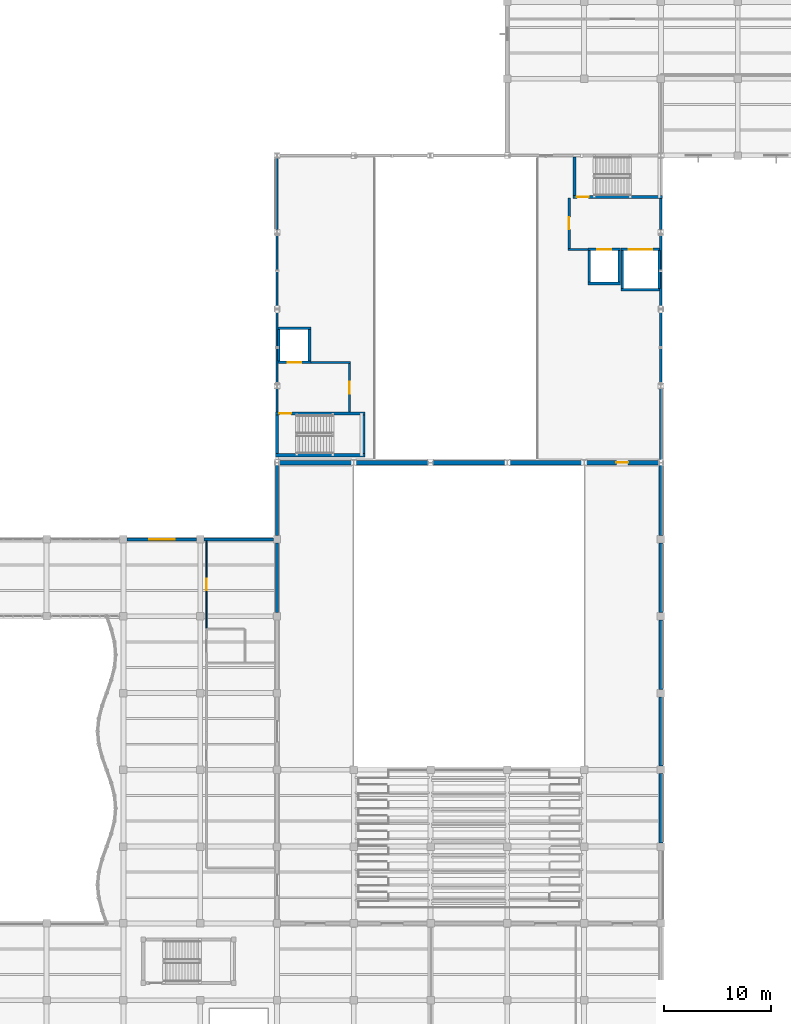
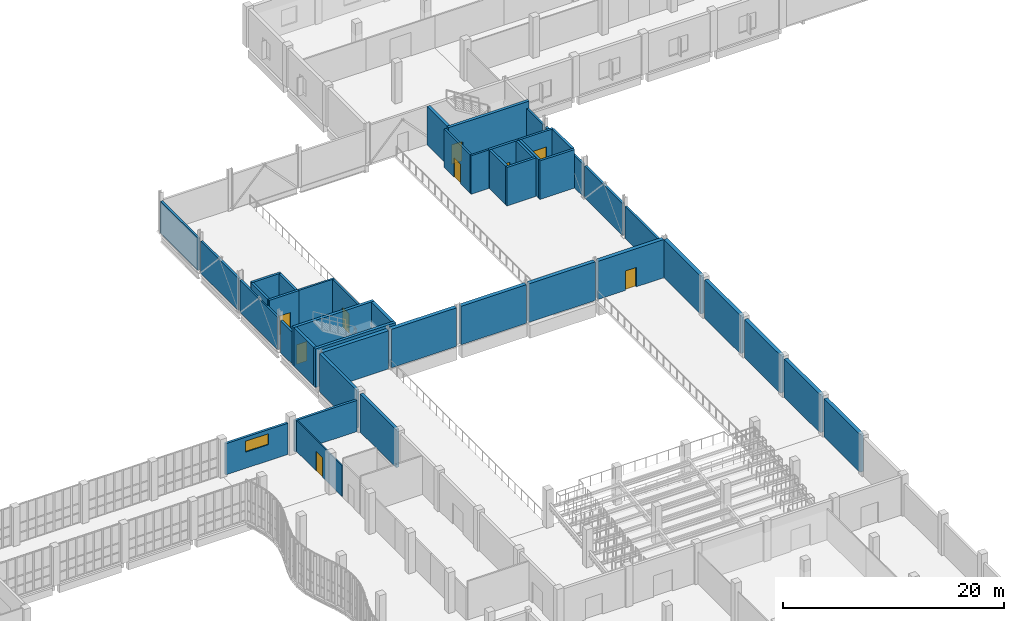
# One storey, part 91 of 108: 45 walls, 9 doors, 1 window, 10 openings.
"""IFC4 building model written with IfcOpenShell, lengths in metres."""

from ifc_helpers import new_model, si_unit, direction, frame, frame_2d, origin, place, context, subcontext, project, spatial, rectangle, extrude, material, layer, layer_set, type_object, element, fill, save


model = new_model("IFC4")

# Units and contexts
model_context = context("Model", 3, precision=1e-05, world=origin(), true_north=direction((0.0, 1.0)))
body_context = subcontext(model_context, "Body", "Model", "MODEL_VIEW")
ifc_project = project(units=[si_unit("LENGTHUNIT", "METRE"), si_unit("AREAUNIT", "SQUARE_METRE"), si_unit("VOLUMEUNIT", "CUBIC_METRE"), si_unit("PLANEANGLEUNIT", "RADIAN"), si_unit("MASSUNIT", "GRAM", prefix="KILO"), si_unit("THERMODYNAMICTEMPERATUREUNIT", "KELVIN"), si_unit("POWERUNIT", "WATT")], contexts=[model_context])

# Site, building, storey
site_placement = place(None, origin())
site = spatial("IfcSite", under=ifc_project, at=site_placement, CompositionType="ELEMENT")
building_placement = place(site_placement, origin())
building = spatial("IfcBuilding", under=site, at=building_placement, Name="Kaldorven Railside Theatre", CompositionType="ELEMENT")
storey_placement = place(building_placement, frame((0.0, 0.0, 5.39990234375)))
storey = spatial("IfcBuildingStorey", under=building, at=storey_placement, Name="L01", CompositionType="ELEMENT", Elevation=5.39990234375)

# Walls
ifc_material_1 = material(Name="Architectural concrete C40/50", Category="concrete")
ifc_layer_1 = layer(ifc_material_1, 0.3798828125, Name="Architectural concrete C40/50")
ifc_layer_set_1 = layer_set([ifc_layer_1], Name="Architectural concrete C40/50")
wall_type_1 = type_object("IfcWallType", Name="WL-EW02", PredefinedType="SHEAR", material=ifc_layer_set_1)
wall_1_placement = place(storey_placement, frame((123.199951171875, 83.813720703125, 0.0), z_axis=(0.0, 0.0, 1.0), x_axis=(0.0, -1.0, 0.0)))
element("IfcWall", 1, at=wall_1_placement, inside=storey, type_object=wall_type_1, Name="V1 L01 Exterior Wall EW-0245", PredefinedType="SHEAR", context=body_context, shape_type="SweptSolid", body=[
    extrude(rectangle(XDim=6.663818359375, YDim=0.3798828125, at=frame_2d((3.33203125, 0.0))), origin(), (0.0, 0.0, 1.0), 4.22021484375),
])
for number, where, z_axis, x_axis, name in (
    (2, (123.199951171875, 76.449951171875, 0.0), (0.0, 0.0, 1.0), (0.0, -1.0, 0.0), "V1 L01 Exterior Wall EW-0246"),
    (3, (123.199951171875, 69.25, 0.0), (0.0, 0.0, 1.0), (0.0, -1.0, 0.0), "V1 L01 Exterior Wall EW-0247"),
    (4, (123.199951171875, 62.050048828125, 0.0), (0.0, 0.0, 1.0), (0.0, -1.0, 0.0), "V1 L01 Exterior Wall EW-0248"),
):
    element("IfcWall", number, at=place(storey_placement, frame(where, z_axis=z_axis, x_axis=x_axis)), inside=storey, type_object=wall_type_1, Name=name, PredefinedType="SHEAR", context=body_context, shape_type="SweptSolid", body=[
        extrude(rectangle(XDim=6.5, YDim=0.3798828125, at=frame_2d((3.25, 0.0))), origin(), (0.0, 0.0, 1.0), 4.22021484375),
    ])
wall_2_placement = place(storey_placement, frame((123.199951171875, 54.85009765625, 0.0), z_axis=(0.0, 0.0, 1.0), x_axis=(0.0, -1.0, 0.0)))
element("IfcWall", 5, at=wall_2_placement, inside=storey, type_object=wall_type_1, Name="V1 L01 Exterior Wall EW-0249", PredefinedType="SHEAR", context=body_context, shape_type="SweptSolid", body=[
    extrude(rectangle(XDim=6.5, YDim=0.3798828125, at=frame_2d((3.25, 0.0))), origin(), (0.0, 0.0, 1.0), 4.2001953125),
])

# Wall, opening, window
ifc_material_2 = material(Name="Precast concrete C40/50", Category="concrete")
ifc_layer_2 = layer(ifc_material_2, 0.25, Name="Precast concrete C40/50")
ifc_layer_set_2 = layer_set([ifc_layer_2], Name="Precast concrete C40/50")
wall_type_2 = type_object("IfcWallType", Name="WL-EW06", PredefinedType="SOLIDWALL", material=ifc_layer_set_2)
wall_3_placement = place(storey_placement, frame((73.14990234375, 76.800048828125, 0.0), z_axis=(0.0, 0.0, 1.0), x_axis=(1.0, 0.0, 0.0)))
wall_3 = element("IfcWall", 6, at=wall_3_placement, inside=storey, type_object=wall_type_2, Name="V5WN L01 Exterior Wall EW-0218", PredefinedType="SOLIDWALL", context=body_context, shape_type="SweptSolid", body=[
    extrude(rectangle(XDim=6.5, YDim=0.25, at=frame_2d((3.25, 0.0))), origin(), (0.0, 0.0, 1.0), 3.445068359375),
])
opening_1_placement = place(wall_3_placement, frame((2.050048828125, 0.0, 1.800048828125)))
opening_1 = element("IfcOpeningElement", 7, at=opening_1_placement, cuts=wall_3, Name="Opening WN-040", PredefinedType="OPENING", context=body_context, shape_type="SweptSolid", body=[
    extrude(rectangle(XDim=2.39990234375, YDim=1.199951171875, at=frame_2d((1.199951171875, 0.60009765625))), frame((0.0, 0.135009765625, 0.0), z_axis=(0.0, -1.0, 0.0), x_axis=(1.0, 0.0, 0.0)), (0.0, 0.0, 1.0), 0.27001953125),
])
ifc_material_3 = material(Name="Low-E laminated solar-control glass", Category="glass")
window_type = type_object("IfcWindowType", Name="WN-EW15", PartitioningType="SINGLE_PANEL", PredefinedType="WINDOW", material=ifc_material_3)
window_placement = place(opening_1_placement, origin())
window = element("IfcWindow", 8, at=window_placement, inside=storey, type_object=window_type, Name="Shaded Acoustic Exterior Window WN-040", OverallHeight=1.199951171875, OverallWidth=2.39990234375, PartitioningType="SINGLE_PANEL", PredefinedType="WINDOW", context=body_context, shape_type="SweptSolid", body=[
    extrude(rectangle(XDim=2.39990234375, YDim=1.199951171875, at=frame_2d((1.199951171875, 0.60009765625))), frame((0.0, 0.030029296875, 0.0), z_axis=(0.0, -1.0, 0.0), x_axis=(1.0, 0.0, 0.0)), (0.0, 0.0, 1.0), 0.06005859375),
])
fill(opening_1, window)

# Walls
wall_4_placement = place(storey_placement, frame((80.35009765625, 76.800048828125, 0.0), z_axis=(0.0, 0.0, 1.0), x_axis=(1.0, 0.0, 0.0)))
element("IfcWall", 9, at=wall_4_placement, inside=storey, type_object=wall_type_2, Name="V5WN L01 Exterior Wall EW-0219", PredefinedType="SOLIDWALL", context=body_context, shape_type="SweptSolid", body=[
    extrude(rectangle(XDim=6.5, YDim=0.25, at=frame_2d((3.25, 0.0))), origin(), (0.0, 0.0, 1.0), 3.445068359375),
])
ifc_layer_3 = layer(ifc_material_2, 0.219970703125, Name="Precast concrete C40/50")
ifc_layer_set_3 = layer_set([ifc_layer_3], Name="Precast concrete C40/50")
wall_type_3 = type_object("IfcWallType", Name="WL-EW07", PredefinedType="SOLIDWALL", material=ifc_layer_set_3)
wall_5_placement = place(storey_placement, frame((87.199951171875, 88.75, 0.0), z_axis=(0.0, 0.0, 1.0), x_axis=(0.0, 1.0, 0.0)))
element("IfcWall", 10, at=wall_5_placement, inside=storey, type_object=wall_type_3, Name="V2 L01 Exterior Wall EW-0281", PredefinedType="SOLIDWALL", context=body_context, shape_type="SweptSolid", body=[
    extrude(rectangle(XDim=2.199951171875, YDim=0.219970703125, at=frame_2d((1.10009765625, 0.0))), origin(), (0.0, 0.0, 1.0), 3.51513671875),
])
for number, where, z_axis, x_axis, name in (
    (11, (87.199951171875, 91.449951171875, 0.0), (0.0, 0.0, 1.0), (0.0, 1.0, 0.0), "V2 L01 Exterior Wall EW-0282"),
    (12, (87.199951171875, 98.550048828125, 0.0), (0.0, 0.0, 1.0), (0.0, 1.0, 0.0), "V2 L01 Exterior Wall EW-0283"),
):
    element("IfcWall", number, at=place(storey_placement, frame(where, z_axis=z_axis, x_axis=x_axis)), inside=storey, type_object=wall_type_3, Name=name, PredefinedType="SOLIDWALL", context=body_context, shape_type="SweptSolid", body=[
        extrude(rectangle(XDim=6.800048828125, YDim=0.219970703125, at=frame_2d((3.39990234375, 0.0))), origin(), (0.0, 0.0, 1.0), 3.55517578125),
    ])
wall_6_placement = place(storey_placement, frame((87.199951171875, 105.85009765625, 0.0), z_axis=(0.0, 0.0, 1.0), x_axis=(0.0, 1.0, 0.0)))
element("IfcWall", 13, at=wall_6_placement, inside=storey, type_object=wall_type_3, Name="V2 L01 Exterior Wall EW-0284", PredefinedType="SOLIDWALL", context=body_context, shape_type="SweptSolid", body=[
    extrude(rectangle(XDim=6.765869140625, YDim=0.219970703125, at=frame_2d((3.3828125, 0.0))), origin(), (0.0, 0.0, 1.0), 3.55517578125),
])
wall_7_placement = place(storey_placement, frame((123.199951171875, 108.75, 0.0), z_axis=(0.0, 0.0, 1.0), x_axis=(0.0, -1.0, 0.0)))
element("IfcWall", 14, at=wall_7_placement, inside=storey, type_object=wall_type_3, Name="V2 L01 Exterior Wall EW-0289", PredefinedType="SOLIDWALL", context=body_context, shape_type="SweptSolid", body=[
    extrude(rectangle(XDim=2.89990234375, YDim=0.219970703125, at=frame_2d((1.449951171875, 0.0))), origin(), (0.0, 0.0, 1.0), 3.51513671875),
])
for number, where, z_axis, x_axis, name in (
    (15, (123.199951171875, 105.35009765625, 0.0), (0.0, 0.0, 1.0), (0.0, -1.0, 0.0), "V2 L01 Exterior Wall EW-0290"),
    (16, (123.199951171875, 98.25, 0.0), (0.0, 0.0, 1.0), (0.0, -1.0, 0.0), "V2 L01 Exterior Wall EW-0291"),
):
    element("IfcWall", number, at=place(storey_placement, frame(where, z_axis=z_axis, x_axis=x_axis)), inside=storey, type_object=wall_type_3, Name=name, PredefinedType="SOLIDWALL", context=body_context, shape_type="SweptSolid", body=[
        extrude(rectangle(XDim=6.800048828125, YDim=0.219970703125, at=frame_2d((3.39990234375, 0.0))), origin(), (0.0, 0.0, 1.0), 3.55517578125),
    ])
wall_8_placement = place(storey_placement, frame((123.199951171875, 90.949951171875, 0.0), z_axis=(0.0, 0.0, 1.0), x_axis=(0.0, -1.0, 0.0)))
element("IfcWall", 17, at=wall_8_placement, inside=storey, type_object=wall_type_3, Name="V2 L01 Exterior Wall EW-0292", PredefinedType="SOLIDWALL", context=body_context, shape_type="SweptSolid", body=[
    extrude(rectangle(XDim=6.763671875, YDim=0.219970703125, at=frame_2d((3.3818359375, 0.0))), origin(), (0.0, 0.0, 1.0), 3.51513671875),
])
ifc_material_4 = material(Name="Concrete C40/50", Category="concrete")
ifc_layer_4 = layer(ifc_material_4, 0.300048828125, Name="Concrete C40/50")
ifc_layer_set_4 = layer_set([ifc_layer_4], Name="Concrete C40/50")
wall_type_4 = type_object("IfcWallType", Name="WL-IW-CORE", PredefinedType="SHEAR", material=ifc_layer_set_4)
wall_9_placement = place(storey_placement, frame((95.449951171875, 84.699951171875, 0.0), z_axis=(0.0, 0.0, 1.0), x_axis=(-1.0, 0.0, 0.0)))
element("IfcWall", 18, at=wall_9_placement, inside=storey, type_object=wall_type_4, Name="L01 Core Wall CW-0137", PredefinedType="SHEAR", context=body_context, shape_type="SweptSolid", body=[
    extrude(rectangle(XDim=8.39990234375, YDim=0.300048828125, at=frame_2d((4.199951171875, 0.0))), origin(), (0.0, 0.0, 1.0), 4.260009765625),
])
wall_10_placement = place(storey_placement, frame((87.199951171875, 84.85205078125, 0.0), z_axis=(0.0, 0.0, 1.0), x_axis=(0.0, 1.0, 0.0)))
element("IfcWall", 19, at=wall_10_placement, inside=storey, type_object=wall_type_4, Name="L01 Core Wall CW-0138", PredefinedType="SHEAR", context=body_context, shape_type="SweptSolid", body=[
    extrude(rectangle(XDim=3.597900390625, YDim=0.300048828125, at=frame_2d((1.798828125, 0.0))), origin(), (0.0, 0.0, 1.0), 4.260009765625),
])

# Wall, opening, door
wall_11_placement = place(storey_placement, frame((87.050048828125, 88.60009765625, 0.0), z_axis=(0.0, 0.0, 1.0), x_axis=(1.0, 0.0, 0.0)))
wall_11 = element("IfcWall", 20, at=wall_11_placement, inside=storey, type_object=wall_type_4, Name="L01 Core Wall CW-0139", PredefinedType="SHEAR", context=body_context, shape_type="SweptSolid", body=[
    extrude(rectangle(XDim=8.39990234375, YDim=0.300048828125, at=frame_2d((4.199951171875, 0.0))), origin(), (0.0, 0.0, 1.0), 4.260009765625),
])
opening_2_placement = place(wall_11_placement, frame((0.3701171875, 0.0, 0.0)))
opening_2 = element("IfcOpeningElement", 21, at=opening_2_placement, cuts=wall_11, Name="Opening ID-0020", PredefinedType="OPENING", context=body_context, shape_type="SweptSolid", body=[
    extrude(rectangle(XDim=1.10009765625, YDim=2.14990234375, at=frame_2d((0.550048828125, 1.074951171875))), frame((0.0, 0.16015625, 0.0), z_axis=(0.0, -1.0, 0.0), x_axis=(1.0, 0.0, 0.0)), (0.0, 0.0, 1.0), 0.320068359375),
])
ifc_material_5 = material(Name="Acoustic hardwood timber", Category="wood")
door_type_1 = type_object("IfcDoorType", Name="DR-ID-FD60", OperationType="NOTDEFINED", PredefinedType="DOOR", material=ifc_material_5)
door_1_placement = place(opening_2_placement, origin())
door_1 = element("IfcDoor", 22, at=door_1_placement, inside=storey, type_object=door_type_1, Name="Stair ST-05 Fire Door", OperationType="SINGLE_SWING_RIGHT", OverallHeight=2.14990234375, OverallWidth=1.10009765625, PredefinedType="DOOR", context=body_context, shape_type="SweptSolid", body=[
    extrude(rectangle(XDim=1.10009765625, YDim=2.14990234375, at=frame_2d((0.550048828125, 1.074951171875))), frame((0.0, 0.02490234375, 0.0), z_axis=(0.0, -1.0, 0.0), x_axis=(1.0, 0.0, 0.0)), (0.0, 0.0, 1.0), 0.050048828125),
])
fill(opening_2, door_1)

# Wall
wall_12_placement = place(storey_placement, frame((95.300048828125, 88.447998046875, 0.0), z_axis=(0.0, 0.0, 1.0), x_axis=(0.0, -1.0, 0.0)))
element("IfcWall", 23, at=wall_12_placement, inside=storey, type_object=wall_type_4, Name="L01 Core Wall CW-0140", PredefinedType="SHEAR", context=body_context, shape_type="SweptSolid", body=[
    extrude(rectangle(XDim=3.595947265625, YDim=0.300048828125, at=frame_2d((1.7978515625, 0.0))), origin(), (0.0, 0.0, 1.0), 4.260009765625),
])

# Wall, opening, door
wall_13_placement = place(storey_placement, frame((123.35009765625, 108.89990234375, 0.0), z_axis=(0.0, 0.0, 1.0), x_axis=(-1.0, 0.0, 0.0)))
wall_13 = element("IfcWall", 24, at=wall_13_placement, inside=storey, type_object=wall_type_4, Name="L01 Core Wall CW-0205", PredefinedType="SHEAR", context=body_context, shape_type="SweptSolid", body=[
    extrude(rectangle(XDim=8.400146484375, YDim=0.300048828125, at=frame_2d((4.2001953125, 0.0))), origin(), (0.0, 0.0, 1.0), 4.260009765625),
])
opening_3_placement = place(wall_13_placement, frame((6.929931640625, 0.0, 0.0)))
opening_3 = element("IfcOpeningElement", 25, at=opening_3_placement, cuts=wall_13, Name="Opening ID-0034", PredefinedType="OPENING", context=body_context, shape_type="SweptSolid", body=[
    extrude(rectangle(XDim=1.10009765625, YDim=2.14990234375, at=frame_2d((0.550048828125, 1.074951171875))), frame((0.0, 0.16015625, 0.0), z_axis=(0.0, -1.0, 0.0), x_axis=(1.0, 0.0, 0.0)), (0.0, 0.0, 1.0), 0.320068359375),
])
door_2_placement = place(opening_3_placement, origin())
door_2 = element("IfcDoor", 26, at=door_2_placement, inside=storey, type_object=door_type_1, Name="Stair ST-06 Fire Door", OperationType="SINGLE_SWING_RIGHT", OverallHeight=2.14990234375, OverallWidth=1.10009765625, PredefinedType="DOOR", context=body_context, shape_type="SweptSolid", body=[
    extrude(rectangle(XDim=1.10009765625, YDim=2.14990234375, at=frame_2d((0.550048828125, 1.074951171875))), frame((0.0, 0.02490234375, 0.0), z_axis=(0.0, -1.0, 0.0), x_axis=(1.0, 0.0, 0.0)), (0.0, 0.0, 1.0), 0.050048828125),
])
fill(opening_3, door_2)

# Walls
wall_14_placement = place(storey_placement, frame((115.10009765625, 109.052001953125, 0.0), z_axis=(0.0, 0.0, 1.0), x_axis=(0.0, 1.0, 0.0)))
element("IfcWall", 27, at=wall_14_placement, inside=storey, type_object=wall_type_4, Name="L01 Core Wall CW-0206", PredefinedType="SHEAR", context=body_context, shape_type="SweptSolid", body=[
    extrude(rectangle(XDim=3.597900390625, YDim=0.300048828125, at=frame_2d((1.798828125, 0.0))), origin(), (0.0, 0.0, 1.0), 4.260009765625),
])
wall_15_placement = place(storey_placement, frame((87.199951171875, 69.949951171875, 0.0), z_axis=(0.0, 0.0, 1.0), x_axis=(0.0, 1.0, 0.0)))
element("IfcWall", 28, at=wall_15_placement, inside=storey, type_object=wall_type_4, Name="L01 Interior Wall AW-0360", PredefinedType="SHEAR", context=body_context, shape_type="SweptSolid", body=[
    extrude(rectangle(XDim=6.5, YDim=0.300048828125, at=frame_2d((3.25, 0.0))), origin(), (0.0, 0.0, 1.0), 4.22021484375),
])
wall_16_placement = place(storey_placement, frame((87.199951171875, 77.14990234375, 0.0), z_axis=(0.0, 0.0, 1.0), x_axis=(0.0, 1.0, 0.0)))
element("IfcWall", 29, at=wall_16_placement, inside=storey, type_object=wall_type_4, Name="L01 Interior Wall AW-0361", PredefinedType="SHEAR", context=body_context, shape_type="SweptSolid", body=[
    extrude(rectangle(XDim=6.663818359375, YDim=0.300048828125, at=frame_2d((3.33203125, 0.0))), origin(), (0.0, 0.0, 1.0), 4.22021484375),
])
ifc_material_6 = material(Name="Concrete C35/45", Category="concrete")
ifc_layer_5 = layer(ifc_material_6, 0.199951171875, Name="Concrete C35/45")
ifc_layer_set_5 = layer_set([ifc_layer_5], Name="Concrete C35/45")
wall_type_5 = type_object("IfcWallType", Name="WL-IW-FF", PredefinedType="PARTITIONING", material=ifc_layer_set_5)
wall_17_placement = place(storey_placement, frame((90.3701171875, 93.39990234375, 0.0), z_axis=(0.0, 0.0, 1.0), x_axis=(1.0, 0.0, 0.0)))
element("IfcWall", 30, at=wall_17_placement, inside=storey, type_object=wall_type_5, Name="L01 Interior Wall FFW-0187", PredefinedType="PARTITIONING", context=body_context, shape_type="SweptSolid", body=[
    extrude(rectangle(XDim=3.72998046875, YDim=0.199951171875, at=frame_2d((1.864990234375, 0.0))), origin(), (0.0, 0.0, 1.0), 4.260009765625),
])

# Wall, opening, door
wall_18_placement = place(storey_placement, frame((94.0, 93.298095703125, 0.0), z_axis=(0.0, 0.0, 1.0), x_axis=(0.0, -1.0, 0.0)))
wall_18 = element("IfcWall", 31, at=wall_18_placement, inside=storey, type_object=wall_type_5, Name="L01 Interior Wall FFW-0188", PredefinedType="PARTITIONING", context=body_context, shape_type="SweptSolid", body=[
    extrude(rectangle(XDim=4.546142578125, YDim=0.199951171875, at=frame_2d((2.27294921875, 0.0))), origin(), (0.0, 0.0, 1.0), 4.260009765625),
])
opening_4_placement = place(wall_18_placement, frame((1.697998046875, 0.0, 0.0)))
opening_4 = element("IfcOpeningElement", 32, at=opening_4_placement, cuts=wall_18, Name="Opening ID-0027", PredefinedType="OPENING", context=body_context, shape_type="SweptSolid", body=[
    extrude(rectangle(XDim=1.14990234375, YDim=2.14990234375, at=frame_2d((0.574951171875, 1.074951171875))), frame((0.0, 0.10986328125, 0.0), z_axis=(0.0, -1.0, 0.0), x_axis=(1.0, 0.0, 0.0)), (0.0, 0.0, 1.0), 0.219970703125),
])
ifc_material_7 = material(Name="Powder-coated hollow-metal steel", Category="steel")
door_type_2 = type_object("IfcDoorType", Name="DR-ID-FD120", OperationType="NOTDEFINED", PredefinedType="DOOR", material=ifc_material_7)
door_3_placement = place(opening_4_placement, origin())
door_3 = element("IfcDoor", 33, at=door_3_placement, inside=storey, type_object=door_type_2, Name="Firefighting Lobby C-STW Door", OperationType="SINGLE_SWING_LEFT", OverallHeight=2.14990234375, OverallWidth=1.14990234375, PredefinedType="DOOR", context=body_context, shape_type="SweptSolid", body=[
    extrude(rectangle(XDim=1.14990234375, YDim=2.14990234375, at=frame_2d((0.574951171875, 1.074951171875))), frame((0.0, 0.02490234375, 0.0), z_axis=(0.0, -1.0, 0.0), x_axis=(1.0, 0.0, 0.0)), (0.0, 0.0, 1.0), 0.050048828125),
])
fill(opening_4, door_3)

# Wall
wall_19_placement = place(storey_placement, frame((116.3798828125, 104.0, 0.0), z_axis=(0.0, 0.0, 1.0), x_axis=(-1.0, 0.0, 0.0)))
element("IfcWall", 34, at=wall_19_placement, inside=storey, type_object=wall_type_5, Name="L01 Interior Wall FFW-0279", PredefinedType="PARTITIONING", context=body_context, shape_type="SweptSolid", body=[
    extrude(rectangle(XDim=1.8798828125, YDim=0.199951171875, at=frame_2d((0.93994140625, 0.0))), origin(), (0.0, 0.0, 1.0), 4.260009765625),
])

# Wall, opening, door
wall_20_placement = place(storey_placement, frame((114.60009765625, 104.10205078125, 0.0), z_axis=(0.0, 0.0, 1.0), x_axis=(0.0, 1.0, 0.0)))
wall_20 = element("IfcWall", 35, at=wall_20_placement, inside=storey, type_object=wall_type_5, Name="L01 Interior Wall FFW-0280", PredefinedType="PARTITIONING", context=body_context, shape_type="SweptSolid", body=[
    extrude(rectangle(XDim=4.697998046875, YDim=0.199951171875, at=frame_2d((2.34912109375, 0.0))), origin(), (0.0, 0.0, 1.0), 4.260009765625),
])
opening_5_placement = place(wall_20_placement, frame((1.77392578125, 0.0, 0.0)))
opening_5 = element("IfcOpeningElement", 36, at=opening_5_placement, cuts=wall_20, Name="Opening ID-0041", PredefinedType="OPENING", context=body_context, shape_type="SweptSolid", body=[
    extrude(rectangle(XDim=1.14990234375, YDim=2.14990234375, at=frame_2d((0.574951171875, 1.074951171875))), frame((0.0, 0.10986328125, 0.0), z_axis=(0.0, -1.0, 0.0), x_axis=(1.0, 0.0, 0.0)), (0.0, 0.0, 1.0), 0.219970703125),
])
door_4_placement = place(opening_5_placement, origin())
door_4 = element("IfcDoor", 37, at=door_4_placement, inside=storey, type_object=door_type_2, Name="Firefighting Lobby C-STE Door", OperationType="SINGLE_SWING_LEFT", OverallHeight=2.14990234375, OverallWidth=1.14990234375, PredefinedType="DOOR", context=body_context, shape_type="SweptSolid", body=[
    extrude(rectangle(XDim=1.14990234375, YDim=2.14990234375, at=frame_2d((0.574951171875, 1.074951171875))), frame((0.0, 0.02490234375, 0.0), z_axis=(0.0, -1.0, 0.0), x_axis=(1.0, 0.0, 0.0)), (0.0, 0.0, 1.0), 0.050048828125),
])
fill(opening_5, door_4)

# Walls
ifc_layer_6 = layer(ifc_material_4, 0.39990234375, Name="Concrete C40/50")
ifc_layer_set_6 = layer_set([ifc_layer_6], Name="Concrete C40/50")
wall_type_6 = type_object("IfcWallType", Name="WL-IW-PROSC", PredefinedType="SHEAR", material=ifc_layer_set_6)
wall_21_placement = place(storey_placement, frame((87.384033203125, 84.0, 0.0), z_axis=(0.0, 0.0, 1.0), x_axis=(1.0, 0.0, 0.0)))
element("IfcWall", 38, at=wall_21_placement, inside=storey, type_object=wall_type_6, Name="L01 Interior Wall PW-0346", PredefinedType="SHEAR", context=body_context, shape_type="SweptSolid", body=[
    extrude(rectangle(XDim=6.865966796875, YDim=0.39990234375, at=frame_2d((3.43310546875, 0.0))), origin(), (0.0, 0.0, 1.0), 4.22021484375),
])
wall_22_placement = place(storey_placement, frame((94.550048828125, 84.0, 0.0), z_axis=(0.0, 0.0, 1.0), x_axis=(1.0, 0.0, 0.0)))
element("IfcWall", 39, at=wall_22_placement, inside=storey, type_object=wall_type_6, Name="L01 Interior Wall PW-0347", PredefinedType="SHEAR", context=body_context, shape_type="SweptSolid", body=[
    extrude(rectangle(XDim=6.800048828125, YDim=0.39990234375, at=frame_2d((3.39990234375, 0.0))), origin(), (0.0, 0.0, 1.0), 4.260009765625),
])
wall_23_placement = place(storey_placement, frame((101.85009765625, 84.0, 0.0), z_axis=(0.0, 0.0, 1.0), x_axis=(1.0, 0.0, 0.0)))
element("IfcWall", 40, at=wall_23_placement, inside=storey, type_object=wall_type_6, Name="L01 Interior Wall PW-0348", PredefinedType="SHEAR", context=body_context, shape_type="SweptSolid", body=[
    extrude(rectangle(XDim=6.7998046875, YDim=0.39990234375, at=frame_2d((3.39990234375, 0.0))), origin(), (0.0, 0.0, 1.0), 4.260009765625),
])
wall_24_placement = place(storey_placement, frame((108.949951171875, 84.0, 0.0), z_axis=(0.0, 0.0, 1.0), x_axis=(1.0, 0.0, 0.0)))
element("IfcWall", 41, at=wall_24_placement, inside=storey, type_object=wall_type_6, Name="L01 Interior Wall PW-0349", PredefinedType="SHEAR", context=body_context, shape_type="SweptSolid", body=[
    extrude(rectangle(XDim=6.900146484375, YDim=0.39990234375, at=frame_2d((3.4501953125, 0.0))), origin(), (0.0, 0.0, 1.0), 4.260009765625),
])

# Wall, opening, door
wall_25_placement = place(storey_placement, frame((116.14990234375, 84.0, 0.0), z_axis=(0.0, 0.0, 1.0), x_axis=(1.0, 0.0, 0.0)))
wall_25 = element("IfcWall", 42, at=wall_25_placement, inside=storey, type_object=wall_type_6, Name="L01 Interior Wall PW-0350", PredefinedType="SHEAR", context=body_context, shape_type="SweptSolid", body=[
    extrude(rectangle(XDim=6.865966796875, YDim=0.39990234375, at=frame_2d((3.43310546875, 0.0))), origin(), (0.0, 0.0, 1.0), 4.22021484375),
])
opening_6_placement = place(wall_25_placement, frame((2.8828125, 0.0, 0.0)))
opening_6 = element("IfcOpeningElement", 43, at=opening_6_placement, cuts=wall_25, Name="Opening ID-0064", PredefinedType="OPENING", context=body_context, shape_type="SweptSolid", body=[
    extrude(rectangle(XDim=1.10009765625, YDim=2.14990234375, at=frame_2d((0.550048828125, 1.074951171875))), frame((0.0, 0.2099609375, 0.0), z_axis=(0.0, -1.0, 0.0), x_axis=(1.0, 0.0, 0.0)), (0.0, 0.0, 1.0), 0.419921875),
])
door_5_placement = place(opening_6_placement, origin())
door_5 = element("IfcDoor", 44, at=door_5_placement, inside=storey, type_object=door_type_1, Name="L01 Gallery-to-Fly-Tower Fire Door", OperationType="SINGLE_SWING_RIGHT", OverallHeight=2.14990234375, OverallWidth=1.10009765625, PredefinedType="DOOR", context=body_context, shape_type="SweptSolid", body=[
    extrude(rectangle(XDim=1.10009765625, YDim=2.14990234375, at=frame_2d((0.550048828125, 1.074951171875))), frame((0.0, 0.02490234375, 0.0), z_axis=(0.0, -1.0, 0.0), x_axis=(1.0, 0.0, 0.0)), (0.0, 0.0, 1.0), 0.050048828125),
])
fill(opening_6, door_5)

ifc_material_8 = material(Name="Fire-rated acoustic gypsum board")
ifc_layer_7 = layer(ifc_material_8, 0.1201171875, Name="Fire-rated acoustic gypsum board")
ifc_layer_set_7 = layer_set([ifc_layer_7], Name="Fire-rated acoustic gypsum board")
wall_type_7 = type_object("IfcWallType", Name="WL-IW-PT1", PredefinedType="PARTITIONING", material=ifc_layer_set_7)
wall_26_placement = place(storey_placement, frame((80.60009765625, 68.471923828125, 0.0), z_axis=(0.0, 0.0, 1.0), x_axis=(0.0, 1.0, 0.0)))
wall_26 = element("IfcWall", 45, at=wall_26_placement, inside=storey, type_object=wall_type_7, Name="L01 Interior Wall IW-0546", PredefinedType="PARTITIONING", context=body_context, shape_type="SweptSolid", body=[
    extrude(rectangle(XDim=8.201171875, YDim=0.1201171875, at=frame_2d((4.1005859375, 0.0))), origin(), (0.0, 0.0, 1.0), 3.445068359375),
])
opening_7_placement = place(wall_26_placement, frame((3.550537109375, 0.0, 0.0)))
opening_7 = element("IfcOpeningElement", 46, at=opening_7_placement, cuts=wall_26, Name="Opening ID-0127", PredefinedType="OPENING", context=body_context, shape_type="SweptSolid", body=[
    extrude(rectangle(XDim=1.10009765625, YDim=2.14990234375, at=frame_2d((0.550048828125, 1.074951171875))), frame((0.0, 0.070068359375, 0.0), z_axis=(0.0, -1.0, 0.0), x_axis=(1.0, 0.0, 0.0)), (0.0, 0.0, 1.0), 0.14013671875),
])
door_6_placement = place(opening_7_placement, origin())
door_6 = element("IfcDoor", 47, at=door_6_placement, inside=storey, type_object=door_type_1, Name="Circle Cleaner's and Linen Store Entry Door", OperationType="SINGLE_SWING_LEFT", OverallHeight=2.14990234375, OverallWidth=1.10009765625, PredefinedType="DOOR", context=body_context, shape_type="SweptSolid", body=[
    extrude(rectangle(XDim=1.10009765625, YDim=2.14990234375, at=frame_2d((0.550048828125, 1.074951171875))), frame((0.0, 0.02490234375, 0.0), z_axis=(0.0, -1.0, 0.0), x_axis=(1.0, 0.0, 0.0)), (0.0, 0.0, 1.0), 0.050048828125),
])
fill(opening_7, door_6)

ifc_layer_8 = layer(ifc_material_4, 0.239990234375, Name="Concrete C40/50")
ifc_layer_set_8 = layer_set([ifc_layer_8], Name="Concrete C40/50")
wall_type_8 = type_object("IfcWallType", Name="WL-IW-SHAFT", PredefinedType="SHEAR", material=ifc_layer_set_8)
wall_27_placement = place(storey_placement, frame((90.3701171875, 93.39990234375, 0.0), z_axis=(0.0, 0.0, 1.0), x_axis=(-1.0, 0.0, 0.0)))
wall_27 = element("IfcWall", 48, at=wall_27_placement, inside=storey, type_object=wall_type_8, Name="L01 Interior Wall SW-0163", PredefinedType="SHEAR", context=body_context, shape_type="SweptSolid", body=[
    extrude(rectangle(XDim=3.05810546875, YDim=0.239990234375, at=frame_2d((1.529052734375, 0.0))), origin(), (0.0, 0.0, 1.0), 4.260009765625),
])
opening_8_placement = place(wall_27_placement, frame((0.87890625, 0.0, 0.0)))
opening_8 = element("IfcOpeningElement", 49, at=opening_8_placement, cuts=wall_27, Name="Opening LD-018", PredefinedType="OPENING", context=body_context, shape_type="SweptSolid", body=[
    extrude(rectangle(XDim=1.300048828125, YDim=2.14990234375, at=frame_2d((0.64990234375, 1.074951171875))), frame((0.0, 0.1298828125, 0.0), z_axis=(0.0, -1.0, 0.0), x_axis=(1.0, 0.0, 0.0)), (0.0, 0.0, 1.0), 0.260009765625),
])
door_type_3 = type_object("IfcDoorType", Name="DR-LD-FF", OperationType="NOTDEFINED", PredefinedType="DOOR", material=ifc_material_7)
door_7_placement = place(opening_8_placement, origin())
door_7 = element("IfcDoor", 50, at=door_7_placement, inside=storey, type_object=door_type_3, Name="Lift LF-FF1 Sliding Landing Door", OperationType="DOUBLE_DOOR_SLIDING", OverallHeight=2.14990234375, OverallWidth=1.300048828125, PredefinedType="DOOR", context=body_context, shape_type="SweptSolid", body=[
    extrude(rectangle(XDim=1.300048828125, YDim=2.14990234375, at=frame_2d((0.64990234375, 1.074951171875))), frame((0.0, 0.02490234375, 0.0), z_axis=(0.0, -1.0, 0.0), x_axis=(1.0, 0.0, 0.0)), (0.0, 0.0, 1.0), 0.050048828125),
])
fill(opening_8, door_7)

# Walls
wall_28_placement = place(storey_placement, frame((87.35009765625, 93.52197265625, 0.0), z_axis=(0.0, 0.0, 1.0), x_axis=(0.0, 1.0, 0.0)))
element("IfcWall", 51, at=wall_28_placement, inside=storey, type_object=wall_type_8, Name="L01 Interior Wall SW-0164", PredefinedType="SHEAR", context=body_context, shape_type="SweptSolid", body=[
    extrude(rectangle(XDim=2.9580078125, YDim=0.239990234375, at=frame_2d((1.47900390625, 0.0))), origin(), (0.0, 0.0, 1.0), 4.260009765625),
])
wall_29_placement = place(storey_placement, frame((87.31201171875, 96.60009765625, 0.0), z_axis=(0.0, 0.0, 1.0), x_axis=(1.0, 0.0, 0.0)))
element("IfcWall", 52, at=wall_29_placement, inside=storey, type_object=wall_type_8, Name="L01 Interior Wall SW-0165", PredefinedType="SHEAR", context=body_context, shape_type="SweptSolid", body=[
    extrude(rectangle(XDim=3.05810546875, YDim=0.239990234375, at=frame_2d((1.529052734375, 0.0))), origin(), (0.0, 0.0, 1.0), 4.260009765625),
])
wall_30_placement = place(storey_placement, frame((90.25, 96.47802734375, 0.0), z_axis=(0.0, 0.0, 1.0), x_axis=(0.0, -1.0, 0.0)))
element("IfcWall", 53, at=wall_30_placement, inside=storey, type_object=wall_type_8, Name="L01 Interior Wall SW-0166", PredefinedType="SHEAR", context=body_context, shape_type="SweptSolid", body=[
    extrude(rectangle(XDim=2.9560546875, YDim=0.239990234375, at=frame_2d((1.47802734375, 0.0))), origin(), (0.0, 0.0, 1.0), 4.260009765625),
])
wall_31_placement = place(storey_placement, frame((119.419921875, 100.800048828125, 0.0), z_axis=(0.0, 0.0, 1.0), x_axis=(-1.0, 0.0, 0.0)))
element("IfcWall", 54, at=wall_31_placement, inside=storey, type_object=wall_type_8, Name="L01 Interior Wall SW-0233", PredefinedType="SHEAR", context=body_context, shape_type="SweptSolid", body=[
    extrude(rectangle(XDim=3.0400390625, YDim=0.239990234375, at=frame_2d((1.52001953125, 0.0))), origin(), (0.0, 0.0, 1.0), 4.260009765625),
])
wall_32_placement = place(storey_placement, frame((116.5, 100.922119140625, 0.0), z_axis=(0.0, 0.0, 1.0), x_axis=(0.0, 1.0, 0.0)))
element("IfcWall", 55, at=wall_32_placement, inside=storey, type_object=wall_type_8, Name="L01 Interior Wall SW-0234", PredefinedType="SHEAR", context=body_context, shape_type="SweptSolid", body=[
    extrude(rectangle(XDim=2.957763671875, YDim=0.239990234375, at=frame_2d((1.47900390625, 0.0))), origin(), (0.0, 0.0, 1.0), 4.260009765625),
])

# Wall, opening, door
wall_33_placement = place(storey_placement, frame((116.3798828125, 104.0, 0.0), z_axis=(0.0, 0.0, 1.0), x_axis=(1.0, 0.0, 0.0)))
wall_33 = element("IfcWall", 56, at=wall_33_placement, inside=storey, type_object=wall_type_8, Name="L01 Interior Wall SW-0235", PredefinedType="SHEAR", context=body_context, shape_type="SweptSolid", body=[
    extrude(rectangle(XDim=3.0400390625, YDim=0.239990234375, at=frame_2d((1.52001953125, 0.0))), origin(), (0.0, 0.0, 1.0), 4.260009765625),
])
opening_9_placement = place(wall_33_placement, frame((0.8701171875, 0.0, 0.0)))
opening_9 = element("IfcOpeningElement", 57, at=opening_9_placement, cuts=wall_33, Name="Opening LD-025", PredefinedType="OPENING", context=body_context, shape_type="SweptSolid", body=[
    extrude(rectangle(XDim=1.300048828125, YDim=2.14990234375, at=frame_2d((0.64990234375, 1.074951171875))), frame((0.0, 0.1298828125, 0.0), z_axis=(0.0, -1.0, 0.0), x_axis=(1.0, 0.0, 0.0)), (0.0, 0.0, 1.0), 0.260009765625),
])
door_8_placement = place(opening_9_placement, origin())
door_8 = element("IfcDoor", 58, at=door_8_placement, inside=storey, type_object=door_type_3, Name="Lift LF-FF2 Sliding Landing Door", OperationType="DOUBLE_DOOR_SLIDING", OverallHeight=2.14990234375, OverallWidth=1.300048828125, PredefinedType="DOOR", context=body_context, shape_type="SweptSolid", body=[
    extrude(rectangle(XDim=1.300048828125, YDim=2.14990234375, at=frame_2d((0.64990234375, 1.074951171875))), frame((0.0, 0.02490234375, 0.0), z_axis=(0.0, -1.0, 0.0), x_axis=(1.0, 0.0, 0.0)), (0.0, 0.0, 1.0), 0.050048828125),
])
fill(opening_9, door_8)

# Walls
wall_34_placement = place(storey_placement, frame((119.300048828125, 103.8779296875, 0.0), z_axis=(0.0, 0.0, 1.0), x_axis=(0.0, -1.0, 0.0)))
element("IfcWall", 59, at=wall_34_placement, inside=storey, type_object=wall_type_8, Name="L01 Interior Wall SW-0236", PredefinedType="SHEAR", context=body_context, shape_type="SweptSolid", body=[
    extrude(rectangle(XDim=2.955810546875, YDim=0.239990234375, at=frame_2d((1.47802734375, 0.0))), origin(), (0.0, 0.0, 1.0), 4.260009765625),
])
wall_35_placement = place(storey_placement, frame((123.087890625, 100.199951171875, 0.0), z_axis=(0.0, 0.0, 1.0), x_axis=(-1.0, 0.0, 0.0)))
element("IfcWall", 60, at=wall_35_placement, inside=storey, type_object=wall_type_8, Name="L01 Interior Wall SW-0259", PredefinedType="SHEAR", context=body_context, shape_type="SweptSolid", body=[
    extrude(rectangle(XDim=3.6279296875, YDim=0.239990234375, at=frame_2d((1.81396484375, 0.0))), origin(), (0.0, 0.0, 1.0), 4.260009765625),
])
wall_36_placement = place(storey_placement, frame((119.580078125, 100.322021484375, 0.0), z_axis=(0.0, 0.0, 1.0), x_axis=(0.0, 1.0, 0.0)))
element("IfcWall", 61, at=wall_36_placement, inside=storey, type_object=wall_type_8, Name="L01 Interior Wall SW-0260", PredefinedType="SHEAR", context=body_context, shape_type="SweptSolid", body=[
    extrude(rectangle(XDim=3.557861328125, YDim=0.239990234375, at=frame_2d((1.77880859375, 0.0))), origin(), (0.0, 0.0, 1.0), 4.260009765625),
])

# Wall, opening, door
wall_37_placement = place(storey_placement, frame((119.4599609375, 104.0, 0.0), z_axis=(0.0, 0.0, 1.0), x_axis=(1.0, 0.0, 0.0)))
wall_37 = element("IfcWall", 62, at=wall_37_placement, inside=storey, type_object=wall_type_8, Name="L01 Interior Wall SW-0261", PredefinedType="SHEAR", context=body_context, shape_type="SweptSolid", body=[
    extrude(rectangle(XDim=3.6279296875, YDim=0.239990234375, at=frame_2d((1.81396484375, 0.0))), origin(), (0.0, 0.0, 1.0), 4.260009765625),
])
opening_10_placement = place(wall_37_placement, frame((0.714111328125, 0.0, 0.0)))
opening_10 = element("IfcOpeningElement", 63, at=opening_10_placement, cuts=wall_37, Name="Opening LD-032", PredefinedType="OPENING", context=body_context, shape_type="SweptSolid", body=[
    extrude(rectangle(XDim=2.199951171875, YDim=2.5, at=frame_2d((1.10009765625, 1.25))), frame((0.0, 0.1298828125, 0.0), z_axis=(0.0, -1.0, 0.0), x_axis=(1.0, 0.0, 0.0)), (0.0, 0.0, 1.0), 0.260009765625),
])
door_type_4 = type_object("IfcDoorType", Name="DR-LD-GOODS", OperationType="NOTDEFINED", PredefinedType="DOOR", material=ifc_material_7)
door_9_placement = place(opening_10_placement, origin())
door_9 = element("IfcDoor", 64, at=door_9_placement, inside=storey, type_object=door_type_4, Name="Lift LF-G1 Sliding Landing Door", OperationType="DOUBLE_DOOR_SLIDING", OverallHeight=2.5, OverallWidth=2.199951171875, PredefinedType="DOOR", context=body_context, shape_type="SweptSolid", body=[
    extrude(rectangle(XDim=2.199951171875, YDim=2.5, at=frame_2d((1.10009765625, 1.25))), frame((0.0, 0.02490234375, 0.0), z_axis=(0.0, -1.0, 0.0), x_axis=(1.0, 0.0, 0.0)), (0.0, 0.0, 1.0), 0.050048828125),
])
fill(opening_10, door_9)

# Wall
wall_38_placement = place(storey_placement, frame((123.050048828125, 103.8779296875, 0.0), z_axis=(0.0, 0.0, 1.0), x_axis=(0.0, -1.0, 0.0)))
element("IfcWall", 65, at=wall_38_placement, inside=storey, type_object=wall_type_8, Name="L01 Interior Wall SW-0262", PredefinedType="SHEAR", context=body_context, shape_type="SweptSolid", body=[
    extrude(rectangle(XDim=3.555908203125, YDim=0.239990234375, at=frame_2d((1.77783203125, 0.0))), origin(), (0.0, 0.0, 1.0), 4.260009765625),
])

save(model, "model.ifc")
